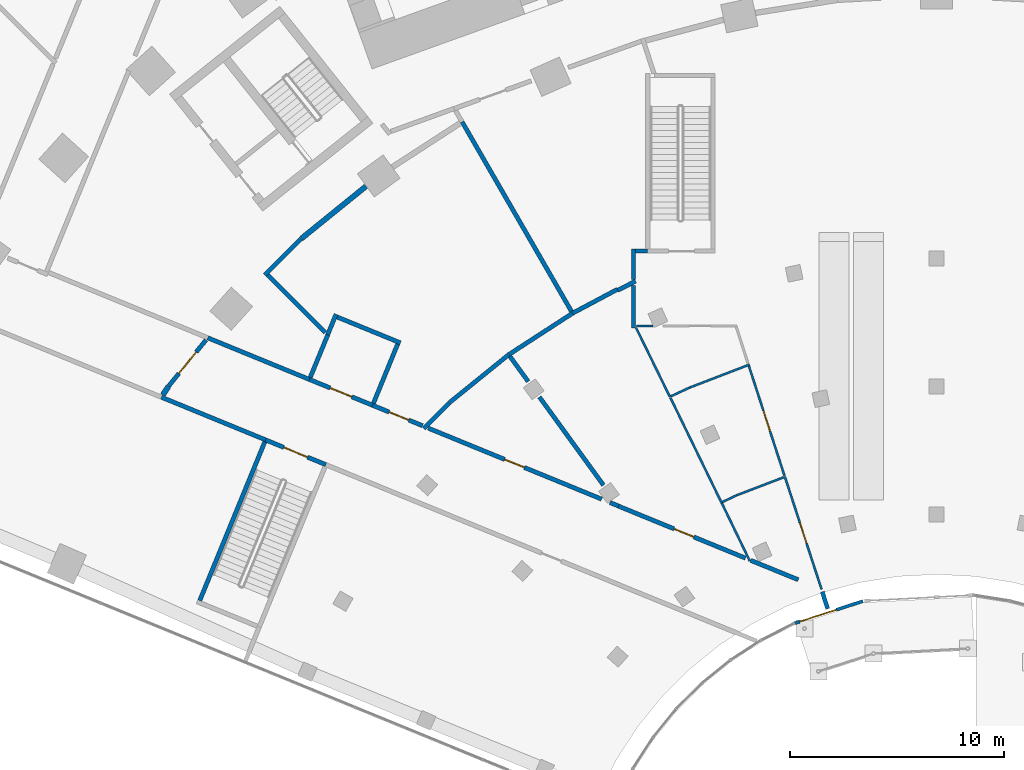
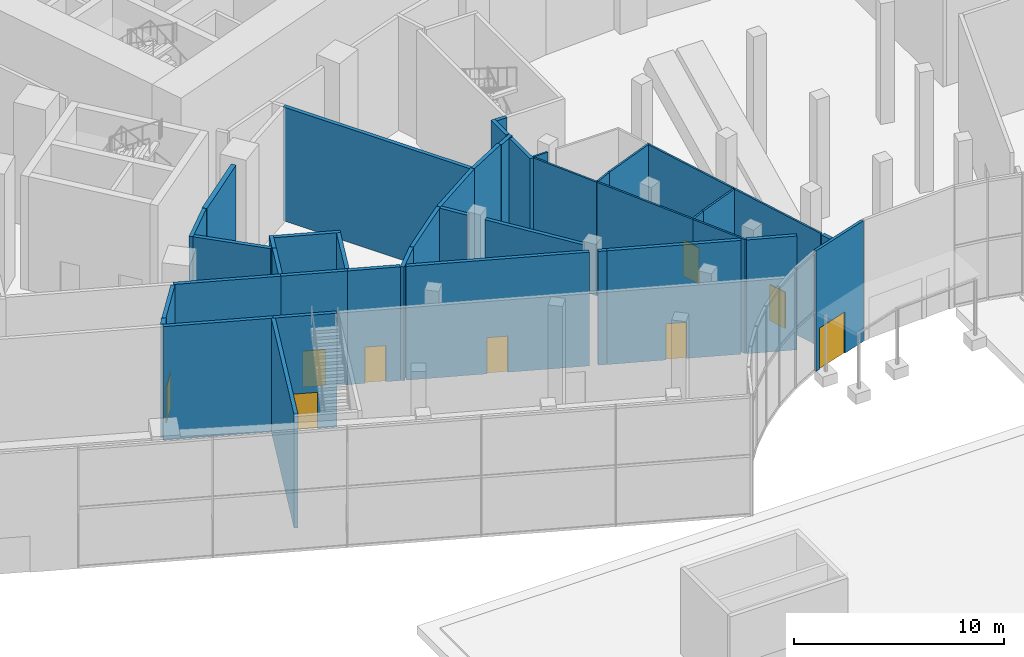
# One storey, part 30 of 60: 42 walls, 9 doors, 9 openings.
"""IFC4 building model written with IfcOpenShell, lengths in metres."""

from ifc_helpers import new_model, si_unit, direction, frame, frame_2d, origin, place, context, subcontext, project, spatial, rectangle, extrude, material, layer, layer_set, type_object, element, fill, save


model = new_model("IFC4")

# Units and contexts
model_context = context("Model", 3, precision=1e-05, world=origin(), true_north=direction((0.0, 1.0)))
body_context = subcontext(model_context, "Body", "Model", "MODEL_VIEW")
ifc_project = project(units=[si_unit("LENGTHUNIT", "METRE"), si_unit("AREAUNIT", "SQUARE_METRE"), si_unit("VOLUMEUNIT", "CUBIC_METRE"), si_unit("PLANEANGLEUNIT", "RADIAN"), si_unit("MASSUNIT", "GRAM", prefix="KILO")], contexts=[model_context])

# Site, building, storey
site_placement = place(None, origin())
site = spatial("IfcSite", under=ifc_project, at=site_placement, CompositionType="ELEMENT")
building_placement = place(site_placement, origin())
building = spatial("IfcBuilding", under=site, at=building_placement, Name="Stone Belt Terrace Tower", CompositionType="ELEMENT")
storey_placement = place(building_placement, origin())
storey = spatial("IfcBuildingStorey", under=building, at=storey_placement, Name="L00", CompositionType="ELEMENT", Elevation=0.0)

# Wall, opening, door
ifc_material_1 = material(Name="Terracotta coloured glazed ceramic", Category="masonry")
ifc_layer_1 = layer(ifc_material_1, 0.14990234375)
ifc_layer_set_1 = layer_set([ifc_layer_1], Name="Ceramic rain-screen wall 150")
wall_type_1 = type_object("IfcWallType", Name="Ceramic rain-screen wall 150", PredefinedType="SOLIDWALL", material=ifc_layer_set_1)
wall_1_placement = place(storey_placement, frame((-6.6484375, 15.01513671875, 0.0), z_axis=(0.0, 0.0, 1.0), x_axis=(0.951076263574, 0.308956211892, 0.0)))
wall_1 = element("IfcWall", 1, at=wall_1_placement, inside=storey, type_object=wall_type_1, Name="Door wall L00", PredefinedType="SOLIDWALL", context=body_context, shape_type="SweptSolid", body=[
    extrude(rectangle(XDim=3.3583984375, YDim=0.14990234375, at=frame_2d((1.67919921875, 0.0))), origin(), (0.0, 0.0, 1.0), 7.0),
])
opening_1_placement = place(wall_1_placement, frame((0.25, 0.0, 0.0)))
opening_1 = element("IfcOpeningElement", 2, at=opening_1_placement, cuts=wall_1, Name="Opening L00-E01", PredefinedType="OPENING", context=body_context, shape_type="SweptSolid", body=[
    extrude(rectangle(XDim=1.800048828125, YDim=2.39990234375, at=frame_2d((0.89990234375, 1.199951171875))), frame((0.0, 0.0849609375, 0.0), z_axis=(0.0, -1.0, 0.0), x_axis=(1.0, 0.0, 0.0)), (0.0, 0.0, 1.0), 0.169921875),
])
ifc_material_2 = material(Name="Anodised aluminium glazed door", Category="aluminium")
door_type_1 = type_object("IfcDoorType", Name="Shopfront door 1800 x 2400", OperationType="DOUBLE_DOOR_DOUBLE_SWING", PredefinedType="DOOR", material=ifc_material_2)
door_1_placement = place(opening_1_placement, origin())
door_1 = element("IfcDoor", 3, at=door_1_placement, inside=storey, type_object=door_type_1, Name="Terrace door L00", OperationType="DOUBLE_DOOR_DOUBLE_SWING", OverallHeight=2.39990234375, OverallWidth=1.800048828125, PredefinedType="DOOR", context=body_context, shape_type="SweptSolid", body=[
    extrude(rectangle(XDim=1.800048828125, YDim=2.39990234375, at=frame_2d((0.89990234375, 1.199951171875))), frame((0.0, 0.02490234375, 0.0), z_axis=(0.0, -1.0, 0.0), x_axis=(1.0, 0.0, 0.0)), (0.0, 0.0, 1.0), 0.050048828125),
])
fill(opening_1, door_1)

# Walls
ifc_material_3 = material(Name="Concrete B30", Category="concrete")
ifc_layer_2 = layer(ifc_material_3, 0.25)
ifc_layer_set_2 = layer_set([ifc_layer_2], Name="Compartment wall 250")
wall_type_2 = type_object("IfcWallType", Name="Compartment wall 250", PredefinedType="SOLIDWALL", material=ifc_layer_set_2)
wall_2_placement = place(storey_placement, frame((-29.735107421875, 33.033935546875, 0.0), z_axis=(0.0, 0.0, 1.0), x_axis=(0.77726687453, 0.629171046503, 0.0)))
element("IfcWall", 4, at=wall_2_placement, inside=storey, type_object=wall_type_2, Name="Compartment wall L00 2", PredefinedType="SOLIDWALL", context=body_context, shape_type="SweptSolid", body=[
    extrude(rectangle(XDim=3.875732421875, YDim=0.25, at=frame_2d((1.93798828125, 0.0))), origin(), (0.0, 0.0, 1.0), 6.60009765625),
])
ifc_material_4 = material(Name="Fire-resistant glazing in steel frame", Category="steel")
ifc_layer_3 = layer(ifc_material_4, 0.25)
ifc_layer_set_3 = layer_set([ifc_layer_3], Name="Glazed compartment fire screen 250")
wall_type_3 = type_object("IfcWallType", Name="Glazed compartment fire screen 250", PredefinedType="PARTITIONING", material=ifc_layer_set_3)
wall_3_placement = place(storey_placement, frame((-36.231201171875, 25.705322265625, 0.0), z_axis=(0.0, 0.0, 1.0), x_axis=(0.547424137073, 0.836855312554, 0.0)))
element("IfcWall", 5, at=wall_3_placement, inside=storey, type_object=wall_type_3, Name="Compartment fire screen L00 1", PredefinedType="PARTITIONING", context=body_context, shape_type="SweptSolid", body=[
    extrude(rectangle(XDim=0.4892578125, YDim=0.25, at=frame_2d((0.24462890625, 0.0))), origin(), (0.0, 0.0, 1.0), 6.60009765625),
])
ifc_material_5 = material(Name="Blockwork wall, plastered both faces", Category="masonry")
ifc_layer_4 = layer(ifc_material_5, 0.199951171875)
ifc_layer_set_4 = layer_set([ifc_layer_4], Name="Podium demising wall 200")
wall_type_4 = type_object("IfcWallType", Name="Podium demising wall 200", PredefinedType="PARTITIONING", material=ifc_layer_set_4)
wall_4_placement = place(storey_placement, frame((-31.4609375, 31.319580078125, 0.0), z_axis=(0.0, 0.0, 1.0), x_axis=(0.709271404213, 0.704935511352, 0.0)))
element("IfcWall", 6, at=wall_4_placement, inside=storey, type_object=wall_type_4, Name="Podium demising wall 200", PredefinedType="PARTITIONING", context=body_context, shape_type="SweptSolid", body=[
    extrude(rectangle(XDim=2.421142578125, YDim=0.199951171875, at=frame_2d((1.21044921875, 0.0))), origin(), (0.0, 0.0, 1.0), 6.60009765625),
])
wall_5_placement = place(storey_placement, frame((-31.3193359375, 31.3193359375, 0.0), z_axis=(0.0, 0.0, 1.0), x_axis=(0.707106781187, -0.707106781187, 0.0)))
element("IfcWall", 7, at=wall_5_placement, inside=storey, type_object=wall_type_4, Name="Podium demising wall 200", PredefinedType="PARTITIONING", context=body_context, shape_type="SweptSolid", body=[
    extrude(rectangle(XDim=3.812744140625, YDim=0.199951171875, at=frame_2d((1.90625, 0.0))), origin(), (0.0, 0.0, 1.0), 6.60009765625),
])
wall_6_placement = place(storey_placement, frame((-24.026611328125, 24.13330078125, 0.0), z_axis=(0.0, 0.0, 1.0), x_axis=(0.707106781187, 0.707106781187, 0.0)))
element("IfcWall", 8, at=wall_6_placement, inside=storey, type_object=wall_type_4, Name="Podium demising wall 200", PredefinedType="PARTITIONING", context=body_context, shape_type="SweptSolid", body=[
    extrude(rectangle(XDim=1.701171875, YDim=0.199951171875, at=frame_2d((0.8505859375, 0.0))), origin(), (0.0, 0.0, 1.0), 6.60009765625),
])
wall_7_placement = place(storey_placement, frame((-22.81591796875, 25.34326171875, 0.0), z_axis=(0.0, 0.0, 1.0), x_axis=(0.777295889482, 0.629135200251, 0.0)))
element("IfcWall", 9, at=wall_7_placement, inside=storey, type_object=wall_type_4, Name="Podium demising wall 200", PredefinedType="PARTITIONING", context=body_context, shape_type="SweptSolid", body=[
    extrude(rectangle(XDim=3.56591796875, YDim=0.199951171875, at=frame_2d((1.782958984375, 0.0))), origin(), (0.0, 0.0, 1.0), 6.60009765625),
])
wall_8_placement = place(storey_placement, frame((-22.219970703125, 38.489990234375, 0.0), z_axis=(0.0, 0.0, 1.0), x_axis=(0.499771279585, -0.866157415313, 0.0)))
element("IfcWall", 10, at=wall_8_placement, inside=storey, type_object=wall_type_4, Name="Podium demising wall 200", PredefinedType="PARTITIONING", context=body_context, shape_type="SweptSolid", body=[
    extrude(rectangle(XDim=10.244384765625, YDim=0.199951171875, at=frame_2d((5.1220703125, 0.0))), origin(), (0.0, 0.0, 1.0), 6.60009765625),
])
wall_9_placement = place(storey_placement, frame((-20.03564453125, 27.593017578125, 0.0), z_axis=(0.0, 0.0, 1.0), x_axis=(0.838917212945, 0.544259046617, 0.0)))
element("IfcWall", 11, at=wall_9_placement, inside=storey, type_object=wall_type_4, Name="Podium demising wall 200", PredefinedType="PARTITIONING", context=body_context, shape_type="SweptSolid", body=[
    extrude(rectangle(XDim=3.554443359375, YDim=0.199951171875, at=frame_2d((1.77734375, 0.0))), origin(), (0.0, 0.0, 1.0), 6.60009765625),
])
wall_10_placement = place(storey_placement, frame((-19.981201171875, 27.509033203125, 0.0), z_axis=(0.0, 0.0, 1.0), x_axis=(0.587781191743, -0.809019944521, 0.0)))
element("IfcWall", 12, at=wall_10_placement, inside=storey, type_object=wall_type_4, Name="Podium demising wall 200", PredefinedType="PARTITIONING", context=body_context, shape_type="SweptSolid", body=[
    extrude(rectangle(XDim=1.449951171875, YDim=0.199951171875, at=frame_2d((0.72509765625, 0.0))), origin(), (0.0, 0.0, 1.0), 6.60009765625),
])
wall_11_placement = place(storey_placement, frame((-18.60009765625, 25.607666015625, 0.0), z_axis=(0.0, 0.0, 1.0), x_axis=(0.587713334625, -0.809069240735, 0.0)))
element("IfcWall", 13, at=wall_11_placement, inside=storey, type_object=wall_type_4, Name="Podium demising wall 200", PredefinedType="PARTITIONING", context=body_context, shape_type="SweptSolid", body=[
    extrude(rectangle(XDim=5.099853515625, YDim=0.199951171875, at=frame_2d((2.5498046875, 0.0))), origin(), (0.0, 0.0, 1.0), 6.60009765625),
])
wall_12_placement = place(storey_placement, frame((-17.046142578125, 29.531982421875, 0.0), z_axis=(0.0, 0.0, 1.0), x_axis=(0.882361475354, 0.470572233362, 0.0)))
element("IfcWall", 14, at=wall_12_placement, inside=storey, type_object=wall_type_4, Name="Podium demising wall 200", PredefinedType="PARTITIONING", context=body_context, shape_type="SweptSolid", body=[
    extrude(rectangle(XDim=2.375732421875, YDim=0.199951171875, at=frame_2d((1.18798828125, 0.0))), origin(), (0.0, 0.0, 1.0), 6.60009765625),
])
wall_13_placement = place(storey_placement, frame((-14.929931640625, 30.610107421875, 0.0), z_axis=(0.0, 0.0, 1.0), x_axis=(0.891946889028, 0.452140185289, 0.0)))
element("IfcWall", 15, at=wall_13_placement, inside=storey, type_object=wall_type_4, Name="Podium demising wall 200", PredefinedType="PARTITIONING", context=body_context, shape_type="SweptSolid", body=[
    extrude(rectangle(XDim=0.930419921875, YDim=0.199951171875, at=frame_2d((0.46533203125, 0.0))), origin(), (0.0, 0.0, 1.0), 6.60009765625),
])
wall_14_placement = place(storey_placement, frame((-14.199951171875, 28.840087890625, 0.0), z_axis=(0.0, 0.0, 1.0), x_axis=(0.0, 1.0, 0.0)))
element("IfcWall", 16, at=wall_14_placement, inside=storey, type_object=wall_type_4, Name="Podium demising wall 200", PredefinedType="PARTITIONING", context=body_context, shape_type="SweptSolid", body=[
    extrude(rectangle(XDim=1.97802734375, YDim=0.199951171875, at=frame_2d((0.989013671875, 0.0))), origin(), (0.0, 0.0, 1.0), 6.60009765625),
])
wall_15_placement = place(storey_placement, frame((-14.199951171875, 31.1201171875, 0.0), z_axis=(0.0, 0.0, 1.0), x_axis=(0.0, 1.0, 0.0)))
element("IfcWall", 17, at=wall_15_placement, inside=storey, type_object=wall_type_4, Name="Podium demising wall 200", PredefinedType="PARTITIONING", context=body_context, shape_type="SweptSolid", body=[
    extrude(rectangle(XDim=1.419921875, YDim=0.199951171875, at=frame_2d((0.7099609375, 0.0))), origin(), (0.0, 0.0, 1.0), 6.60009765625),
])
wall_16_placement = place(storey_placement, frame((-14.10009765625, 32.43994140625, 0.0), z_axis=(0.0, 0.0, 1.0), x_axis=(1.0, 0.0, 0.0)))
element("IfcWall", 18, at=wall_16_placement, inside=storey, type_object=wall_type_4, Name="Podium demising wall 200", PredefinedType="PARTITIONING", context=body_context, shape_type="SweptSolid", body=[
    extrude(rectangle(XDim=0.570068359375, YDim=0.199951171875, at=frame_2d((0.28515625, 0.0))), origin(), (0.0, 0.0, 1.0), 6.60009765625),
])
ifc_material_6 = material(Name="Fire-rated blockwork wall, plastered both faces", Category="masonry")
ifc_layer_5 = layer(ifc_material_6, 0.199951171875)
ifc_layer_set_5 = layer_set([ifc_layer_5], Name="Podium exit passage wall 200")
wall_type_5 = type_object("IfcWallType", Name="Podium exit passage wall 200", PredefinedType="PARTITIONING", material=ifc_layer_set_5)
wall_17_placement = place(storey_placement, frame((-36.300048828125, 25.60009765625, 0.0), z_axis=(0.0, 0.0, 1.0), x_axis=(0.925301943077, -0.379231214613, 0.0)))
element("IfcWall", 19, at=wall_17_placement, inside=storey, type_object=wall_type_5, Name="Podium exit passage wall 200", PredefinedType="PARTITIONING", context=body_context, shape_type="SweptSolid", body=[
    extrude(rectangle(XDim=5.27392578125, YDim=0.199951171875, at=frame_2d((2.636962890625, 0.0))), origin(), (0.0, 0.0, 1.0), 6.60009765625),
])

# Wall, opening, door
wall_18_placement = place(storey_placement, frame((-35.956787109375, 26.1240234375, 0.0), z_axis=(0.0, 0.0, 1.0), x_axis=(0.629287013408, 0.777172988952, 0.0)))
wall_18 = element("IfcWall", 20, at=wall_18_placement, inside=storey, type_object=wall_type_5, Name="Podium exit passage wall 200", PredefinedType="PARTITIONING", context=body_context, shape_type="SweptSolid", body=[
    extrude(rectangle(XDim=2.7685546875, YDim=0.199951171875, at=frame_2d((1.38427734375, 0.0))), origin(), (0.0, 0.0, 1.0), 6.60009765625),
])
opening_2_placement = place(wall_18_placement, frame((0.749267578125, 0.0, 0.0)))
opening_2 = element("IfcOpeningElement", 21, at=opening_2_placement, cuts=wall_18, Name="Opening L00-P44", PredefinedType="OPENING", context=body_context, shape_type="SweptSolid", body=[
    extrude(rectangle(XDim=1.300048828125, YDim=2.10009765625, at=frame_2d((0.64990234375, 1.050048828125))), frame((0.0, 0.10986328125, 0.0), z_axis=(0.0, -1.0, 0.0), x_axis=(1.0, 0.0, 0.0)), (0.0, 0.0, 1.0), 0.219970703125),
])
ifc_material_7 = material(Name="Steel framed fire door leaf", Category="steel")
door_type_2 = type_object("IfcDoorType", Name="Fire door 1300 x 2100 EI 60", OperationType="SINGLE_SWING_LEFT", PredefinedType="DOOR", material=ifc_material_7)
door_2_placement = place(opening_2_placement, origin())
door_2 = element("IfcDoor", 22, at=door_2_placement, inside=storey, type_object=door_type_2, Name="Fire door 1300 x 2100 EI 60", OperationType="SINGLE_SWING_LEFT", OverallHeight=2.10009765625, OverallWidth=1.300048828125, PredefinedType="DOOR", context=body_context, shape_type="SweptSolid", body=[
    extrude(rectangle(XDim=1.300048828125, YDim=2.10009765625, at=frame_2d((0.64990234375, 1.050048828125))), frame((0.0, 0.02490234375, 0.0), z_axis=(0.0, -1.0, 0.0), x_axis=(1.0, 0.0, 0.0)), (0.0, 0.0, 1.0), 0.050048828125),
])
fill(opening_2, door_2)

# Wall
wall_19_placement = place(storey_placement, frame((-34.1298828125, 28.3798828125, 0.0), z_axis=(0.0, 0.0, 1.0), x_axis=(0.925357825015, -0.37909483732, 0.0)))
element("IfcWall", 23, at=wall_19_placement, inside=storey, type_object=wall_type_5, Name="Podium exit passage wall 200", PredefinedType="PARTITIONING", context=body_context, shape_type="SweptSolid", body=[
    extrude(rectangle(XDim=5.143798828125, YDim=0.199951171875, at=frame_2d((2.57177734375, 0.0))), origin(), (0.0, 0.0, 1.0), 6.60009765625),
])

# Wall, opening, door
wall_20_placement = place(storey_placement, frame((-26.409912109375, 25.219970703125, 0.0), z_axis=(0.0, 0.0, 1.0), x_axis=(0.925594703894, -0.378516108143, 0.0)))
wall_20 = element("IfcWall", 24, at=wall_20_placement, inside=storey, type_object=wall_type_5, Name="Podium exit passage wall 200", PredefinedType="PARTITIONING", context=body_context, shape_type="SweptSolid", body=[
    extrude(rectangle(XDim=2.5244140625, YDim=0.199951171875, at=frame_2d((1.26220703125, 0.0))), origin(), (0.0, 0.0, 1.0), 6.60009765625),
])
opening_3_placement = place(wall_20_placement, frame((0.834228515625, 0.0, 0.0)))
opening_3 = element("IfcOpeningElement", 25, at=opening_3_placement, cuts=wall_20, Name="Opening L00-P26", PredefinedType="OPENING", context=body_context, shape_type="SweptSolid", body=[
    extrude(rectangle(XDim=1.0, YDim=2.10009765625, at=frame_2d((0.5, 1.050048828125))), frame((0.0, 0.10986328125, 0.0), z_axis=(0.0, -1.0, 0.0), x_axis=(1.0, 0.0, 0.0)), (0.0, 0.0, 1.0), 0.219970703125),
])
ifc_material_8 = material(Name="Steel framed door leaf", Category="steel")
door_type_3 = type_object("IfcDoorType", Name="Podium door single 1000", OperationType="SINGLE_SWING_LEFT", PredefinedType="DOOR", material=ifc_material_8)
door_3_placement = place(opening_3_placement, origin())
door_3 = element("IfcDoor", 26, at=door_3_placement, inside=storey, type_object=door_type_3, Name="Podium door single 1000", OperationType="SINGLE_SWING_RIGHT", OverallHeight=2.10009765625, OverallWidth=1.0, PredefinedType="DOOR", context=body_context, shape_type="SweptSolid", body=[
    extrude(rectangle(XDim=1.0, YDim=2.10009765625, at=frame_2d((0.5, 1.050048828125))), frame((0.0, 0.02490234375, 0.0), z_axis=(0.0, -1.0, 0.0), x_axis=(1.0, 0.0, 0.0)), (0.0, 0.0, 1.0), 0.050048828125),
])
fill(opening_3, door_3)

wall_21_placement = place(storey_placement, frame((-23.810791015625, 24.153076171875, 0.0), z_axis=(0.0, 0.0, 1.0), x_axis=(0.925415789647, -0.378953316746, 0.0)))
wall_21 = element("IfcWall", 27, at=wall_21_placement, inside=storey, type_object=wall_type_5, Name="Podium exit passage wall 200", PredefinedType="PARTITIONING", context=body_context, shape_type="SweptSolid", body=[
    extrude(rectangle(XDim=8.77978515625, YDim=0.199951171875, at=frame_2d((4.389892578125, 0.0))), origin(), (0.0, 0.0, 1.0), 6.60009765625),
])
opening_4_placement = place(wall_21_placement, frame((3.868896484375, 0.0, 0.0)))
opening_4 = element("IfcOpeningElement", 28, at=opening_4_placement, cuts=wall_21, Name="Opening L00-P19", PredefinedType="OPENING", context=body_context, shape_type="SweptSolid", body=[
    extrude(rectangle(XDim=1.0, YDim=2.10009765625, at=frame_2d((0.5, 1.050048828125))), frame((0.0, 0.10986328125, 0.0), z_axis=(0.0, -1.0, 0.0), x_axis=(1.0, 0.0, 0.0)), (0.0, 0.0, 1.0), 0.219970703125),
])
door_4_placement = place(opening_4_placement, origin())
door_4 = element("IfcDoor", 29, at=door_4_placement, inside=storey, type_object=door_type_3, Name="Podium door single 1000", OperationType="SINGLE_SWING_LEFT", OverallHeight=2.10009765625, OverallWidth=1.0, PredefinedType="DOOR", context=body_context, shape_type="SweptSolid", body=[
    extrude(rectangle(XDim=1.0, YDim=2.10009765625, at=frame_2d((0.5, 1.050048828125))), frame((0.0, 0.02490234375, 0.0), z_axis=(0.0, -1.0, 0.0), x_axis=(1.0, 0.0, 0.0)), (0.0, 0.0, 1.0), 0.050048828125),
])
fill(opening_4, door_4)

# Wall
wall_22_placement = place(storey_placement, frame((-15.298583984375, 20.667236328125, 0.0), z_axis=(0.0, 0.0, 1.0), x_axis=(0.925601020436, -0.37850066178, 0.0)))
element("IfcWall", 30, at=wall_22_placement, inside=storey, type_object=wall_type_5, Name="Podium exit passage wall 200", PredefinedType="PARTITIONING", context=body_context, shape_type="SweptSolid", body=[
    extrude(rectangle(XDim=0.431640625, YDim=0.199951171875, at=frame_2d((0.2158203125, 0.0))), origin(), (0.0, 0.0, 1.0), 6.60009765625),
])

# Wall, opening, door
wall_23_placement = place(storey_placement, frame((-14.89990234375, 20.5, 0.0), z_axis=(0.0, 0.0, 1.0), x_axis=(0.925431888254, -0.378914001063, 0.0)))
wall_23 = element("IfcWall", 31, at=wall_23_placement, inside=storey, type_object=wall_type_5, Name="Podium exit passage wall 200", PredefinedType="PARTITIONING", context=body_context, shape_type="SweptSolid", body=[
    extrude(rectangle(XDim=6.423828125, YDim=0.199951171875, at=frame_2d((3.2119140625, 0.0))), origin(), (0.0, 0.0, 1.0), 6.60009765625),
])
opening_5_placement = place(wall_23_placement, frame((2.81201171875, 0.0, 0.0)))
opening_5 = element("IfcOpeningElement", 32, at=opening_5_placement, cuts=wall_23, Name="Opening L00-P20", PredefinedType="OPENING", context=body_context, shape_type="SweptSolid", body=[
    extrude(rectangle(XDim=1.0, YDim=2.10009765625, at=frame_2d((0.5, 1.050048828125))), frame((0.0, 0.10986328125, 0.0), z_axis=(0.0, -1.0, 0.0), x_axis=(1.0, 0.0, 0.0)), (0.0, 0.0, 1.0), 0.219970703125),
])
door_5_placement = place(opening_5_placement, origin())
door_5 = element("IfcDoor", 33, at=door_5_placement, inside=storey, type_object=door_type_3, Name="Podium door single 1000", OperationType="SINGLE_SWING_RIGHT", OverallHeight=2.10009765625, OverallWidth=1.0, PredefinedType="DOOR", context=body_context, shape_type="SweptSolid", body=[
    extrude(rectangle(XDim=1.0, YDim=2.10009765625, at=frame_2d((0.5, 1.050048828125))), frame((0.0, 0.02490234375, 0.0), z_axis=(0.0, -1.0, 0.0), x_axis=(1.0, 0.0, 0.0)), (0.0, 0.0, 1.0), 0.050048828125),
])
fill(opening_5, door_5)

# Walls
wall_24_placement = place(storey_placement, frame((-8.710693359375, 17.9619140625, 0.0), z_axis=(0.0, 0.0, 1.0), x_axis=(0.925802012258, -0.378008775163, 0.0)))
element("IfcWall", 34, at=wall_24_placement, inside=storey, type_object=wall_type_5, Name="Podium exit passage wall 200", PredefinedType="PARTITIONING", context=body_context, shape_type="SweptSolid", body=[
    extrude(rectangle(XDim=2.4072265625, YDim=0.199951171875, at=frame_2d((1.20361328125, 0.0))), origin(), (0.0, 0.0, 1.0), 6.60009765625),
])
wall_25_placement = place(storey_placement, frame((-5.359375, 16.4853515625, 0.0), z_axis=(0.0, 0.0, 1.0), x_axis=(0.309917381216, -0.950763491527, 0.0)))
element("IfcWall", 35, at=wall_25_placement, inside=storey, type_object=wall_type_5, Name="Podium exit passage wall 200", PredefinedType="PARTITIONING", context=body_context, shape_type="SweptSolid", body=[
    extrude(rectangle(XDim=0.836669921875, YDim=0.199951171875, at=frame_2d((0.41845703125, 0.0))), origin(), (0.0, 0.0, 1.0), 6.60009765625),
])
ifc_material_9 = material(Name="Reinforced blockwork wall, plastered both faces", Category="masonry")
ifc_layer_6 = layer(ifc_material_9, 0.199951171875)
ifc_layer_set_6 = layer_set([ifc_layer_6], Name="Podium lift shaft wall 200")
wall_type_6 = type_object("IfcWallType", Name="Podium lift shaft wall 200", PredefinedType="SOLIDWALL", material=ifc_layer_set_6)
wall_26_placement = place(storey_placement, frame((-29.331787109375, 26.5224609375, 0.0), z_axis=(0.0, 0.0, 1.0), x_axis=(0.38045417261, 0.924799774299, 0.0)))
element("IfcWall", 36, at=wall_26_placement, inside=storey, type_object=wall_type_6, Name="Podium lift shaft wall 200", PredefinedType="SOLIDWALL", context=body_context, shape_type="SweptSolid", body=[
    extrude(rectangle(XDim=2.159912109375, YDim=0.199951171875, at=frame_2d((1.080078125, 0.0))), origin(), (0.0, 0.0, 1.0), 6.60009765625),
])

# Wall, opening, door
wall_27_placement = place(storey_placement, frame((-29.3701171875, 26.429931640625, 0.0), z_axis=(0.0, 0.0, 1.0), x_axis=(0.925660010793, -0.378356372246, 0.0)))
wall_27 = element("IfcWall", 37, at=wall_27_placement, inside=storey, type_object=wall_type_6, Name="Podium lift shaft wall 200", PredefinedType="SOLIDWALL", context=body_context, shape_type="SweptSolid", body=[
    extrude(rectangle(XDim=3.197998046875, YDim=0.199951171875, at=frame_2d((1.59912109375, 0.0))), origin(), (0.0, 0.0, 1.0), 6.60009765625),
])
opening_6_placement = place(wall_27_placement, frame((1.048828125, 0.0, 0.0)))
opening_6 = element("IfcOpeningElement", 38, at=opening_6_placement, cuts=wall_27, Name="Opening L00-P09", PredefinedType="OPENING", context=body_context, shape_type="SweptSolid", body=[
    extrude(rectangle(XDim=1.10009765625, YDim=2.10009765625, at=frame_2d((0.550048828125, 1.050048828125))), frame((0.0, 0.10986328125, 0.0), z_axis=(0.0, -1.0, 0.0), x_axis=(1.0, 0.0, 0.0)), (0.0, 0.0, 1.0), 0.219970703125),
])
ifc_material_10 = material(Name="Stainless steel sliding landing door leaf", Category="steel")
door_type_4 = type_object("IfcDoorType", Name="Podium landing door 1100", OperationType="SLIDING_TO_LEFT", PredefinedType="DOOR", material=ifc_material_10)
door_6_placement = place(opening_6_placement, origin())
door_6 = element("IfcDoor", 39, at=door_6_placement, inside=storey, type_object=door_type_4, Name="Podium landing door 1100", OperationType="SLIDING_TO_LEFT", OverallHeight=2.10009765625, OverallWidth=1.10009765625, PredefinedType="DOOR", context=body_context, shape_type="SweptSolid", body=[
    extrude(rectangle(XDim=1.10009765625, YDim=2.10009765625, at=frame_2d((0.550048828125, 1.050048828125))), frame((0.0, 0.02490234375, 0.0), z_axis=(0.0, -1.0, 0.0), x_axis=(1.0, 0.0, 0.0)), (0.0, 0.0, 1.0), 0.050048828125),
])
fill(opening_6, door_6)

# Walls
wall_28_placement = place(storey_placement, frame((-28.5146484375, 28.52294921875, 0.0), z_axis=(0.0, 0.0, 1.0), x_axis=(0.378605341533, 0.925558207442, 0.0)))
element("IfcWall", 40, at=wall_28_placement, inside=storey, type_object=wall_type_6, Name="Podium lift shaft wall 200", PredefinedType="SOLIDWALL", context=body_context, shape_type="SweptSolid", body=[
    extrude(rectangle(XDim=1.036865234375, YDim=0.199951171875, at=frame_2d((0.5185546875, 0.0))), origin(), (0.0, 0.0, 1.0), 6.60009765625),
])
wall_29_placement = place(storey_placement, frame((-28.0673828125, 29.352294921875, 0.0), z_axis=(0.0, 0.0, 1.0), x_axis=(0.925622338254, -0.378448526124, 0.0)))
element("IfcWall", 41, at=wall_29_placement, inside=storey, type_object=wall_type_6, Name="Podium lift shaft wall 200", PredefinedType="SOLIDWALL", context=body_context, shape_type="SweptSolid", body=[
    extrude(rectangle(XDim=3.19775390625, YDim=0.199951171875, at=frame_2d((1.598876953125, 0.0))), origin(), (0.0, 0.0, 1.0), 6.60009765625),
])
wall_30_placement = place(storey_placement, frame((-26.372314453125, 25.3125, 0.0), z_axis=(0.0, 0.0, 1.0), x_axis=(0.378442575395, 0.925624771237, 0.0)))
element("IfcWall", 42, at=wall_30_placement, inside=storey, type_object=wall_type_6, Name="Podium lift shaft wall 200", PredefinedType="SOLIDWALL", context=body_context, shape_type="SweptSolid", body=[
    extrude(rectangle(XDim=2.997802734375, YDim=0.199951171875, at=frame_2d((1.4990234375, 0.0))), origin(), (0.0, 0.0, 1.0), 6.60009765625),
])
ifc_layer_7 = layer(ifc_material_3, 0.199951171875)
ifc_layer_set_7 = layer_set([ifc_layer_7], Name="Podium stair and shaft wall 200")
wall_type_7 = type_object("IfcWallType", Name="Podium stair and shaft wall 200", PredefinedType="SOLIDWALL", material=ifc_layer_set_7)
wall_31_placement = place(storey_placement, frame((-34.502197265625, 16.08251953125, 0.0), z_axis=(0.0, 0.0, 1.0), x_axis=(0.379344686309, 0.925255429041, 0.0)))
element("IfcWall", 43, at=wall_31_placement, inside=storey, type_object=wall_type_7, Name="Podium stair and shaft wall 200", PredefinedType="SOLIDWALL", context=body_context, shape_type="SweptSolid", body=[
    extrude(rectangle(XDim=8.02490234375, YDim=0.199951171875, at=frame_2d((4.012451171875, 0.0))), origin(), (0.0, 0.0, 1.0), 6.60009765625),
])

# Wall, opening, door
wall_32_placement = place(storey_placement, frame((-31.419921875, 23.60009765625, 0.0), z_axis=(0.0, 0.0, 1.0), x_axis=(0.924787502584, -0.380484001063, 0.0)))
wall_32 = element("IfcWall", 44, at=wall_32_placement, inside=storey, type_object=wall_type_7, Name="Podium stair and shaft wall 200", PredefinedType="SOLIDWALL", context=body_context, shape_type="SweptSolid", body=[
    extrude(rectangle(XDim=3.049072265625, YDim=0.199951171875, at=frame_2d((1.5244140625, 0.0))), origin(), (0.0, 0.0, 1.0), 6.60009765625),
])
opening_7_placement = place(wall_32_placement, frame((0.924560546875, 0.0, 0.0)))
opening_7 = element("IfcOpeningElement", 45, at=opening_7_placement, cuts=wall_32, Name="Opening L00-P01", PredefinedType="OPENING", context=body_context, shape_type="SweptSolid", body=[
    extrude(rectangle(XDim=1.199951171875, YDim=2.10009765625, at=frame_2d((0.60009765625, 1.050048828125))), frame((0.0, 0.10986328125, 0.0), z_axis=(0.0, -1.0, 0.0), x_axis=(1.0, 0.0, 0.0)), (0.0, 0.0, 1.0), 0.219970703125),
])
door_type_5 = type_object("IfcDoorType", Name="Podium door fire stair 1200", OperationType="SINGLE_SWING_LEFT", PredefinedType="DOOR", material=ifc_material_8)
door_7_placement = place(opening_7_placement, origin())
door_7 = element("IfcDoor", 46, at=door_7_placement, inside=storey, type_object=door_type_5, Name="Podium door fire stair 1200", OperationType="SINGLE_SWING_LEFT", OverallHeight=2.10009765625, OverallWidth=1.199951171875, PredefinedType="DOOR", context=body_context, shape_type="SweptSolid", body=[
    extrude(rectangle(XDim=1.199951171875, YDim=2.10009765625, at=frame_2d((0.60009765625, 1.050048828125))), frame((0.0, 0.02490234375, 0.0), z_axis=(0.0, -1.0, 0.0), x_axis=(1.0, 0.0, 0.0)), (0.0, 0.0, 1.0), 0.050048828125),
])
fill(opening_7, door_7)

# Walls
ifc_material_11 = material(Name="Moisture-resistant board on steel stud partition", Category="steel")
ifc_layer_8 = layer(ifc_material_11, 0.10009765625)
ifc_layer_set_8 = layer_set([ifc_layer_8], Name="Podium toilet partition 100")
wall_type_8 = type_object("IfcWallType", Name="Podium toilet partition 100", PredefinedType="PARTITIONING", material=ifc_layer_set_8)
wall_33_placement = place(storey_placement, frame((-14.076904296875, 28.851806640625, 0.0), z_axis=(0.0, 0.0, 1.0), x_axis=(0.43967594046, -0.89815648268, 0.0)))
element("IfcWall", 47, at=wall_33_placement, inside=storey, type_object=wall_type_8, Name="Podium toilet partition 100", PredefinedType="PARTITIONING", context=body_context, shape_type="SweptSolid", body=[
    extrude(rectangle(XDim=3.609375, YDim=0.10009765625, at=frame_2d((1.8046875, 0.0))), origin(), (0.0, 0.0, 1.0), 6.60009765625),
])
wall_34_placement = place(storey_placement, frame((-14.064208984375, 28.93994140625, 0.0), z_axis=(0.0, 0.0, 1.0), x_axis=(1.0, 0.0, 0.0)))
element("IfcWall", 48, at=wall_34_placement, inside=storey, type_object=wall_type_8, Name="Podium toilet partition 100", PredefinedType="PARTITIONING", context=body_context, shape_type="SweptSolid", body=[
    extrude(rectangle(XDim=0.774658203125, YDim=0.10009765625, at=frame_2d((0.38720703125, 0.0))), origin(), (0.0, 0.0, 1.0), 6.60009765625),
])
wall_35_placement = place(storey_placement, frame((-12.4482421875, 25.639404296875, 0.0), z_axis=(0.0, 0.0, 1.0), x_axis=(0.906136954373, 0.422984420422, 0.0)))
element("IfcWall", 49, at=wall_35_placement, inside=storey, type_object=wall_type_8, Name="Podium toilet partition 100", PredefinedType="PARTITIONING", context=body_context, shape_type="SweptSolid", body=[
    extrude(rectangle(XDim=0.9453125, YDim=0.10009765625, at=frame_2d((0.47265625, 0.0))), origin(), (0.0, 0.0, 1.0), 6.60009765625),
])
wall_36_placement = place(storey_placement, frame((-12.468017578125, 25.574951171875, 0.0), z_axis=(0.0, 0.0, 1.0), x_axis=(0.43773415579, -0.899104448246, 0.0)))
element("IfcWall", 50, at=wall_36_placement, inside=storey, type_object=wall_type_8, Name="Podium toilet partition 100", PredefinedType="PARTITIONING", context=body_context, shape_type="SweptSolid", body=[
    extrude(rectangle(XDim=5.50537109375, YDim=0.10009765625, at=frame_2d((2.752685546875, 0.0))), origin(), (0.0, 0.0, 1.0), 6.60009765625),
])
wall_37_placement = place(storey_placement, frame((-11.58837890625, 26.04052734375, 0.0), z_axis=(0.0, 0.0, 1.0), x_axis=(0.933258279258, 0.359206046994, 0.0)))
element("IfcWall", 51, at=wall_37_placement, inside=storey, type_object=wall_type_8, Name="Podium toilet partition 100", PredefinedType="PARTITIONING", context=body_context, shape_type="SweptSolid", body=[
    extrude(rectangle(XDim=3.02734375, YDim=0.10009765625, at=frame_2d((1.513671875, 0.0))), origin(), (0.0, 0.0, 1.0), 6.60009765625),
])
wall_38_placement = place(storey_placement, frame((-10.034912109375, 20.69140625, 0.0), z_axis=(0.0, 0.0, 1.0), x_axis=(0.904238093202, 0.427028653373, 0.0)))
element("IfcWall", 52, at=wall_38_placement, inside=storey, type_object=wall_type_8, Name="Podium toilet partition 100", PredefinedType="PARTITIONING", context=body_context, shape_type="SweptSolid", body=[
    extrude(rectangle(XDim=0.744384765625, YDim=0.10009765625, at=frame_2d((0.3720703125, 0.0))), origin(), (0.0, 0.0, 1.0), 6.60009765625),
])
wall_39_placement = place(storey_placement, frame((-10.053955078125, 20.6259765625, 0.0), z_axis=(0.0, 0.0, 1.0), x_axis=(0.435158708889, -0.900353762739, 0.0)))
element("IfcWall", 53, at=wall_39_placement, inside=storey, type_object=wall_type_8, Name="Podium toilet partition 100", PredefinedType="PARTITIONING", context=body_context, shape_type="SweptSolid", body=[
    extrude(rectangle(XDim=2.983154296875, YDim=0.10009765625, at=frame_2d((1.49169921875, 0.0))), origin(), (0.0, 0.0, 1.0), 6.60009765625),
])
wall_40_placement = place(storey_placement, frame((-9.358154296875, 21.0107421875, 0.0), z_axis=(0.0, 0.0, 1.0), x_axis=(0.934088415344, 0.357041779518, 0.0)))
element("IfcWall", 54, at=wall_40_placement, inside=storey, type_object=wall_type_8, Name="Podium toilet partition 100", PredefinedType="PARTITIONING", context=body_context, shape_type="SweptSolid", body=[
    extrude(rectangle(XDim=2.35693359375, YDim=0.10009765625, at=frame_2d((1.178466796875, 0.0))), origin(), (0.0, 0.0, 1.0), 6.60009765625),
])

# Wall, opening, door
wall_41_placement = place(storey_placement, frame((-8.79443359375, 27.0625, 0.0), z_axis=(0.0, 0.0, 1.0), x_axis=(0.308553264891, -0.951207066166, 0.0)))
wall_41 = element("IfcWall", 55, at=wall_41_placement, inside=storey, type_object=wall_type_8, Name="Podium toilet partition 100", PredefinedType="PARTITIONING", context=body_context, shape_type="SweptSolid", body=[
    extrude(rectangle(XDim=5.408935546875, YDim=0.10009765625, at=frame_2d((2.70458984375, 0.0))), origin(), (0.0, 0.0, 1.0), 6.60009765625),
])
opening_8_placement = place(wall_41_placement, frame((2.204345703125, 0.0, 0.0)))
opening_8 = element("IfcOpeningElement", 56, at=opening_8_placement, cuts=wall_41, Name="Opening L00-P22", PredefinedType="OPENING", context=body_context, shape_type="SweptSolid", body=[
    extrude(rectangle(XDim=1.0, YDim=2.10009765625, at=frame_2d((0.5, 1.050048828125))), frame((0.0, 0.06005859375, 0.0), z_axis=(0.0, -1.0, 0.0), x_axis=(1.0, 0.0, 0.0)), (0.0, 0.0, 1.0), 0.1201171875),
])
door_8_placement = place(opening_8_placement, origin())
door_8 = element("IfcDoor", 57, at=door_8_placement, inside=storey, type_object=door_type_3, Name="Podium door single 1000", OperationType="SINGLE_SWING_RIGHT", OverallHeight=2.10009765625, OverallWidth=1.0, PredefinedType="DOOR", context=body_context, shape_type="SweptSolid", body=[
    extrude(rectangle(XDim=1.0, YDim=2.10009765625, at=frame_2d((0.5, 1.050048828125))), frame((0.0, 0.02490234375, 0.0), z_axis=(0.0, -1.0, 0.0), x_axis=(1.0, 0.0, 0.0)), (0.0, 0.0, 1.0), 0.050048828125),
])
fill(opening_8, door_8)

wall_42_placement = place(storey_placement, frame((-7.110107421875, 21.8798828125, 0.0), z_axis=(0.0, 0.0, 1.0), x_axis=(0.309783876653, -0.95080699922, 0.0)))
wall_42 = element("IfcWall", 58, at=wall_42_placement, inside=storey, type_object=wall_type_8, Name="Podium toilet partition 100", PredefinedType="PARTITIONING", context=body_context, shape_type="SweptSolid", body=[
    extrude(rectangle(XDim=5.552978515625, YDim=0.10009765625, at=frame_2d((2.7763671875, 0.0))), origin(), (0.0, 0.0, 1.0), 6.60009765625),
])
opening_9_placement = place(wall_42_placement, frame((2.276611328125, 0.0, 0.0)))
opening_9 = element("IfcOpeningElement", 59, at=opening_9_placement, cuts=wall_42, Name="Opening L00-P21", PredefinedType="OPENING", context=body_context, shape_type="SweptSolid", body=[
    extrude(rectangle(XDim=1.0, YDim=2.10009765625, at=frame_2d((0.5, 1.050048828125))), frame((0.0, 0.06005859375, 0.0), z_axis=(0.0, -1.0, 0.0), x_axis=(1.0, 0.0, 0.0)), (0.0, 0.0, 1.0), 0.1201171875),
])
door_9_placement = place(opening_9_placement, origin())
door_9 = element("IfcDoor", 60, at=door_9_placement, inside=storey, type_object=door_type_3, Name="Podium door single 1000", OperationType="SINGLE_SWING_LEFT", OverallHeight=2.10009765625, OverallWidth=1.0, PredefinedType="DOOR", context=body_context, shape_type="SweptSolid", body=[
    extrude(rectangle(XDim=1.0, YDim=2.10009765625, at=frame_2d((0.5, 1.050048828125))), frame((0.0, 0.02490234375, 0.0), z_axis=(0.0, -1.0, 0.0), x_axis=(1.0, 0.0, 0.0)), (0.0, 0.0, 1.0), 0.050048828125),
])
fill(opening_9, door_9)

save(model, "model.ifc")
